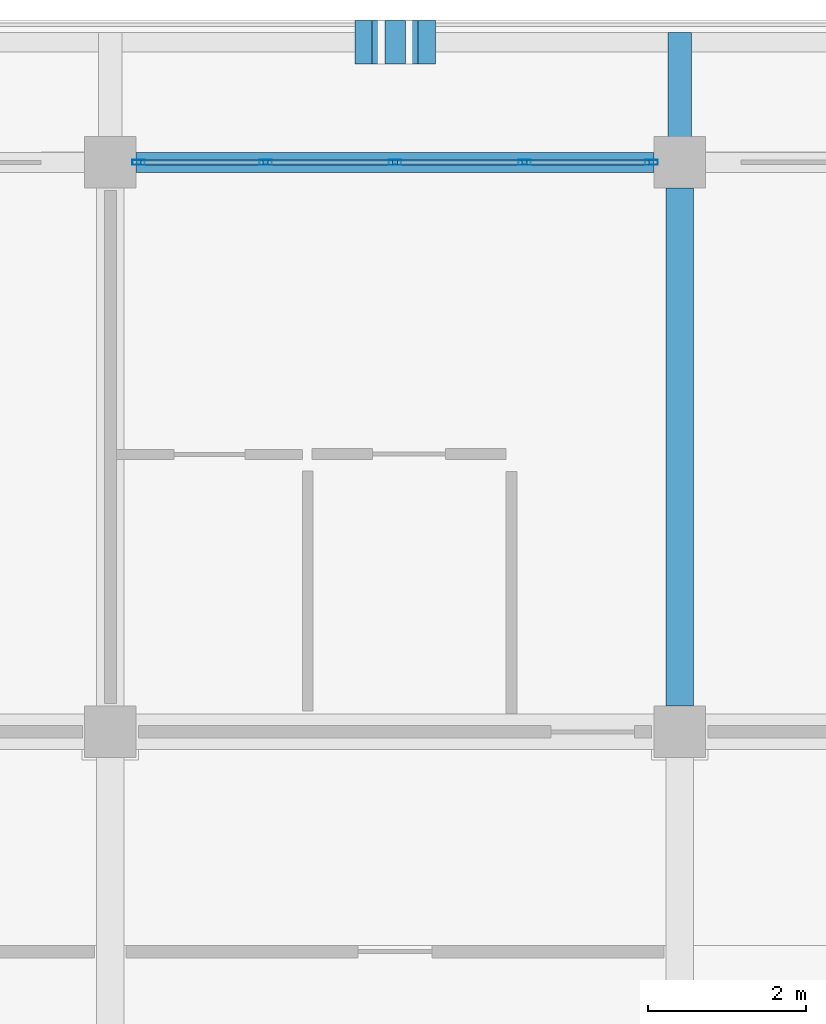
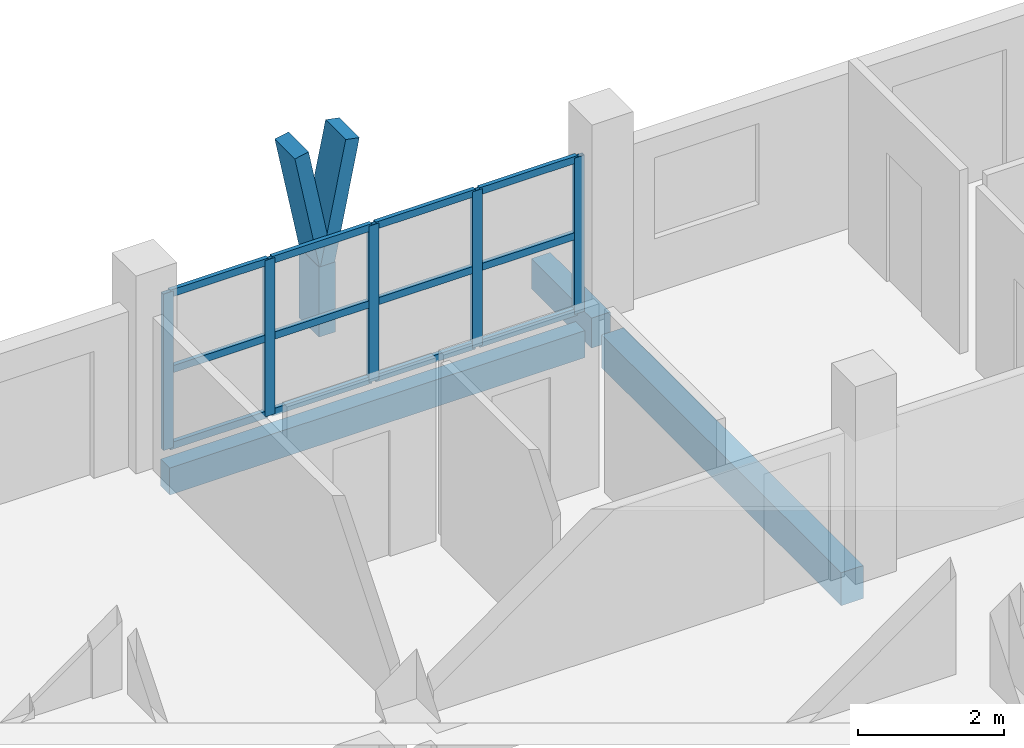
# One storey, part 12 of 75: 20 members, 3 beams, 1 element without a shape of its own.
"""IFC4 building model written with IfcOpenShell, lengths in metres."""

from ifc_helpers import new_model, si_unit, direction, frame, origin, origin_2d, place, context, subcontext, project, spatial, rectangle, hollow_rectangle, extrude, material, material_profile, profile_set, type_object, element, aggregate, save


model = new_model("IFC4")

# Units and contexts
model_context = context("Model", 3, precision=1e-05, world=origin(), true_north=direction((0.0, 1.0)))
body_context = subcontext(model_context, "Body", "Model", "MODEL_VIEW")
ifc_project = project(units=[si_unit("LENGTHUNIT", "METRE"), si_unit("AREAUNIT", "SQUARE_METRE"), si_unit("VOLUMEUNIT", "CUBIC_METRE"), si_unit("PLANEANGLEUNIT", "RADIAN"), si_unit("MASSUNIT", "GRAM", prefix="KILO")], contexts=[model_context])

# Site, building, storey
site_placement = place(None, origin())
site = spatial("IfcSite", under=ifc_project, at=site_placement, CompositionType="ELEMENT")
building_placement = place(site_placement, origin())
building = spatial("IfcBuilding", under=site, at=building_placement, Name="Suanplinth Sawtooth Commons", CompositionType="ELEMENT")
storey_placement = place(building_placement, frame((0.0, 0.0, 18.60009765625)))
storey = spatial("IfcBuildingStorey", under=building, at=storey_placement, Name="L05", CompositionType="ELEMENT", Elevation=18.60009765625)

# Beams
ifc_material_1 = material(Name="Precast concrete C40/50", Category="concrete")
ifc_material_profile_1 = material_profile(ifc_material_1, rectangle(XDim=0.35009765625, YDim=0.550048828125, at=origin_2d()), Name="PC-BM 350x550")
ifc_profile_set_1 = profile_set([ifc_material_profile_1], Name="Precast concrete C40/50")
beam_type_1 = type_object("IfcBeamType", Name="B-06", PredefinedType="BEAM", material=ifc_profile_set_1)
beam_1_placement = place(storey_placement, frame((43.199951171875, 115.52490234375, -0.525146484375), z_axis=(0.0, 1.0, 0.0), x_axis=(-1.0, 0.0, 0.0)))
element("IfcBeam", 1, at=beam_1_placement, inside=storey, type_object=beam_type_1, Name="BMY-L05-A-6-16", PredefinedType="BEAM", context=body_context, shape_type="SweptSolid", body=[
    extrude(rectangle(XDim=0.35009765625, YDim=0.550048828125, at=origin_2d()), origin(), (0.0, 0.0, 1.0), 6.550048828125),
])
ifc_material_profile_2 = material_profile(ifc_material_1, rectangle(XDim=0.300048828125, YDim=0.5, at=origin_2d()), Name="PC-BM 300x500")
ifc_profile_set_2 = profile_set([ifc_material_profile_2], Name="Precast concrete C40/50")
beam_type_2 = type_object("IfcBeamType", Name="B-07", PredefinedType="BEAM", material=ifc_profile_set_2)
beam_2_placement = place(storey_placement, frame((43.199951171875, 122.39990234375, -0.43017578125), z_axis=(0.0, 1.0, 0.0), x_axis=(-1.0, 0.0, 0.0)))
element("IfcBeam", 2, at=beam_2_placement, inside=storey, type_object=beam_type_2, Name="Balcony Outrigger L05-A-N-6", PredefinedType="BEAM", context=body_context, shape_type="SweptSolid", body=[
    extrude(rectangle(XDim=0.300048828125, YDim=0.5, at=origin_2d()), origin(), (0.0, 0.0, 1.0), 1.64013671875),
])
ifc_material_profile_3 = material_profile(ifc_material_1, rectangle(XDim=0.25, YDim=0.449951171875, at=origin_2d()), Name="PC-SP 250x450")
ifc_profile_set_3 = profile_set([ifc_material_profile_3], Name="Precast concrete C40/50")
beam_type_3 = type_object("IfcBeamType", Name="B-09", PredefinedType="SPANDREL", material=ifc_profile_set_3)
beam_3_placement = place(storey_placement, frame((36.324951171875, 122.39990234375, -0.47509765625), z_axis=(1.0, 0.0, 0.0), x_axis=(0.0, 1.0, 0.0)))
element("IfcBeam", 3, at=beam_3_placement, inside=storey, type_object=beam_type_3, Name="BMX-L05-A-5-17", PredefinedType="SPANDREL", context=body_context, shape_type="SweptSolid", body=[
    extrude(rectangle(XDim=0.25, YDim=0.449951171875, at=origin_2d()), origin(), (0.0, 0.0, 1.0), 6.550048828125),
])

# Members
ifc_material_2 = material(Name="Pigmented precast concrete C40/50", Category="concrete")
ifc_material_profile_4 = material_profile(ifc_material_2, rectangle(XDim=0.260009765625, YDim=0.550048828125, at=origin_2d()), Name="PC-FIN 260x550")
ifc_profile_set_4 = profile_set([ifc_material_profile_4], Name="Pigmented precast concrete C40/50")
member_type_1 = type_object("IfcMemberType", Name="M-09", PredefinedType="USERDEFINED", material=ifc_profile_set_4)
member_1_placement = place(storey_placement, frame((39.60009765625, 123.919921875, 0.0), z_axis=(0.0, 0.0, 1.0), x_axis=(1.0, 0.0, 0.0)))
element("IfcMember", 4, at=member_1_placement, inside=storey, type_object=member_type_1, Name="Y-Blade Stem L05-A-N-02", ObjectType="SHADING FIN", PredefinedType="USERDEFINED", context=body_context, shape_type="SweptSolid", body=[
    extrude(rectangle(XDim=0.260009765625, YDim=0.550048828125, at=origin_2d()), origin(), (0.0, 0.0, 1.0), 1.169921875),
])
ifc_material_profile_5 = material_profile(ifc_material_2, rectangle(XDim=0.219970703125, YDim=0.550048828125, at=origin_2d()), Name="PC-FIN 220x550")
ifc_profile_set_5 = profile_set([ifc_material_profile_5], Name="Pigmented precast concrete C40/50")
member_type_2 = type_object("IfcMemberType", Name="M-10", PredefinedType="USERDEFINED", material=ifc_profile_set_5)
for number, where, z_axis, x_axis, name in (
    (5, (39.60009765625, 123.919921875, 1.1298828125), (-0.196530428008, 0.0, 0.98049772609), (0.98049772609, 0.0, 0.196530428008), "Y-Blade Arm L L05-A-N-02"),
    (6, (39.60009765625, 123.919921875, 1.1298828125), (0.196415357203, 0.0, 0.980520783795), (-0.980520783795, 0.0, 0.196415357203), "Y-Blade Arm R L05-A-N-02"),
):
    element("IfcMember", number, at=place(storey_placement, frame(where, z_axis=z_axis, x_axis=x_axis)), inside=storey, type_object=member_type_2, Name=name, ObjectType="SHADING FIN", PredefinedType="USERDEFINED", context=body_context, shape_type="SweptSolid", body=[
        extrude(rectangle(XDim=0.219970703125, YDim=0.550048828125, at=origin_2d()), origin(), (0.0, 0.0, 1.0), 2.039794921875),
    ])

# Curtain wall, members
ifc_material_3 = material(Name="Anodized aluminium and low-E glazing", Category="aluminium")
curtain_wall_type = type_object("IfcCurtainWallType", Name="CW-06", PredefinedType="USERDEFINED", material=ifc_material_3)
curtain_wall_placement = place(storey_placement, origin())
curtain_wall = element("IfcCurtainWall", 7, at=curtain_wall_placement, inside=storey, type_object=curtain_wall_type, Name="Curtain Wall CW-L05-A-LOUNGE-5", ObjectType="CURTAIN WALL", PredefinedType="USERDEFINED")
ifc_material_4 = material(Name="Anodized aluminium 6063-T6", Category="aluminium")
ifc_material_profile_6 = material_profile(ifc_material_4, hollow_rectangle(XDim=0.06494140625, YDim=0.159912109375, WallThickness=0.00390625, at=origin_2d()), Name="ALU-MUL 65x160")
ifc_profile_set_6 = profile_set([ifc_material_profile_6], Name="Anodized aluminium 6063-T6")
member_type_3 = type_object("IfcMemberType", Name="M-13", PredefinedType="MULLION", material=ifc_profile_set_6)
member_2_placement = place(storey_placement, frame((36.357421875, 122.39990234375, 0.0), z_axis=(0.0, 0.0, 1.0), x_axis=(0.0, 1.0, 0.0)))
member_2 = element("IfcMember", 8, at=member_2_placement, type_object=member_type_3, Name="CW-06 mullion 1", PredefinedType="MULLION", context=body_context, shape_type="SweptSolid", body=[
    extrude(hollow_rectangle(XDim=0.06494140625, YDim=0.159912109375, WallThickness=0.00390625, at=origin_2d()), origin(), (0.0, 0.0, 1.0), 2.60986328125),
])
member_3_placement = place(storey_placement, frame((37.96240234375, 122.39990234375, 0.0), z_axis=(0.0, 0.0, 1.0), x_axis=(0.0, 1.0, 0.0)))
member_3 = element("IfcMember", 9, at=member_3_placement, type_object=member_type_3, Name="CW-06 mullion 2", PredefinedType="MULLION", context=body_context, shape_type="SweptSolid", body=[
    extrude(hollow_rectangle(XDim=0.06494140625, YDim=0.159912109375, WallThickness=0.00390625, at=origin_2d()), origin(), (0.0, 0.0, 1.0), 2.60986328125),
])
member_4_placement = place(storey_placement, frame((39.60009765625, 122.39990234375, 0.0), z_axis=(0.0, 0.0, 1.0), x_axis=(0.0, 1.0, 0.0)))
member_4 = element("IfcMember", 10, at=member_4_placement, type_object=member_type_3, Name="CW-06 mullion 3", PredefinedType="MULLION", context=body_context, shape_type="SweptSolid", body=[
    extrude(hollow_rectangle(XDim=0.06494140625, YDim=0.159912109375, WallThickness=0.00390625, at=origin_2d()), origin(), (0.0, 0.0, 1.0), 2.60986328125),
])
member_5_placement = place(storey_placement, frame((41.237548828125, 122.39990234375, 0.0), z_axis=(0.0, 0.0, 1.0), x_axis=(0.0, 1.0, 0.0)))
member_5 = element("IfcMember", 11, at=member_5_placement, type_object=member_type_3, Name="CW-06 mullion 4", PredefinedType="MULLION", context=body_context, shape_type="SweptSolid", body=[
    extrude(hollow_rectangle(XDim=0.06494140625, YDim=0.159912109375, WallThickness=0.00390625, at=origin_2d()), origin(), (0.0, 0.0, 1.0), 2.60986328125),
])
member_6_placement = place(storey_placement, frame((42.842529296875, 122.39990234375, 0.0), z_axis=(0.0, 0.0, 1.0), x_axis=(0.0, 1.0, 0.0)))
member_6 = element("IfcMember", 12, at=member_6_placement, type_object=member_type_3, Name="CW-06 mullion 5", PredefinedType="MULLION", context=body_context, shape_type="SweptSolid", body=[
    extrude(hollow_rectangle(XDim=0.06494140625, YDim=0.159912109375, WallThickness=0.00390625, at=origin_2d()), origin(), (0.0, 0.0, 1.0), 2.60986328125),
])
ifc_material_profile_7 = material_profile(ifc_material_4, hollow_rectangle(XDim=0.06494140625, YDim=0.1201171875, WallThickness=0.00390625, at=origin_2d()), Name="ALU-TRN 65x120")
ifc_profile_set_7 = profile_set([ifc_material_profile_7], Name="Anodized aluminium 6063-T6")
member_type_4 = type_object("IfcMemberType", Name="M-15", PredefinedType="USERDEFINED", material=ifc_profile_set_7)
member_7_placement = place(storey_placement, frame((36.389892578125, 122.39990234375, 0.032470703125), z_axis=(1.0, 0.0, 0.0), x_axis=(0.0, 1.0, 0.0)))
member_7 = element("IfcMember", 13, at=member_7_placement, type_object=member_type_4, Name="CW-06 transom 1.1", ObjectType="TRANSOM", PredefinedType="USERDEFINED", context=body_context, shape_type="SweptSolid", body=[
    extrude(hollow_rectangle(XDim=0.06494140625, YDim=0.1201171875, WallThickness=0.00390625, at=origin_2d()), origin(), (0.0, 0.0, 1.0), 1.5400390625),
])
member_8_placement = place(storey_placement, frame((36.389892578125, 122.39990234375, 1.304931640625), z_axis=(1.0, 0.0, 0.0), x_axis=(0.0, 1.0, 0.0)))
member_8 = element("IfcMember", 14, at=member_8_placement, type_object=member_type_4, Name="CW-06 transom 1.2", ObjectType="TRANSOM", PredefinedType="USERDEFINED", context=body_context, shape_type="SweptSolid", body=[
    extrude(hollow_rectangle(XDim=0.06494140625, YDim=0.1201171875, WallThickness=0.00390625, at=origin_2d()), origin(), (0.0, 0.0, 1.0), 1.5400390625),
])
member_9_placement = place(storey_placement, frame((36.389892578125, 122.39990234375, 2.577392578125), z_axis=(1.0, 0.0, 0.0), x_axis=(0.0, 1.0, 0.0)))
member_9 = element("IfcMember", 15, at=member_9_placement, type_object=member_type_4, Name="CW-06 transom 1.3", ObjectType="TRANSOM", PredefinedType="USERDEFINED", context=body_context, shape_type="SweptSolid", body=[
    extrude(hollow_rectangle(XDim=0.06494140625, YDim=0.1201171875, WallThickness=0.00390625, at=origin_2d()), origin(), (0.0, 0.0, 1.0), 1.5400390625),
])
member_10_placement = place(storey_placement, frame((37.9951171875, 122.39990234375, 0.032470703125), z_axis=(1.0, 0.0, 0.0), x_axis=(0.0, 1.0, 0.0)))
member_10 = element("IfcMember", 16, at=member_10_placement, type_object=member_type_4, Name="CW-06 transom 2.1", ObjectType="TRANSOM", PredefinedType="USERDEFINED", context=body_context, shape_type="SweptSolid", body=[
    extrude(hollow_rectangle(XDim=0.06494140625, YDim=0.1201171875, WallThickness=0.00390625, at=origin_2d()), origin(), (0.0, 0.0, 1.0), 1.572265625),
])
member_11_placement = place(storey_placement, frame((37.9951171875, 122.39990234375, 1.304931640625), z_axis=(1.0, 0.0, 0.0), x_axis=(0.0, 1.0, 0.0)))
member_11 = element("IfcMember", 17, at=member_11_placement, type_object=member_type_4, Name="CW-06 transom 2.2", ObjectType="TRANSOM", PredefinedType="USERDEFINED", context=body_context, shape_type="SweptSolid", body=[
    extrude(hollow_rectangle(XDim=0.06494140625, YDim=0.1201171875, WallThickness=0.00390625, at=origin_2d()), origin(), (0.0, 0.0, 1.0), 1.572265625),
])
member_12_placement = place(storey_placement, frame((37.9951171875, 122.39990234375, 2.577392578125), z_axis=(1.0, 0.0, 0.0), x_axis=(0.0, 1.0, 0.0)))
member_12 = element("IfcMember", 18, at=member_12_placement, type_object=member_type_4, Name="CW-06 transom 2.3", ObjectType="TRANSOM", PredefinedType="USERDEFINED", context=body_context, shape_type="SweptSolid", body=[
    extrude(hollow_rectangle(XDim=0.06494140625, YDim=0.1201171875, WallThickness=0.00390625, at=origin_2d()), origin(), (0.0, 0.0, 1.0), 1.572265625),
])
member_13_placement = place(storey_placement, frame((39.632568359375, 122.39990234375, 0.032470703125), z_axis=(1.0, 0.0, 0.0), x_axis=(0.0, 1.0, 0.0)))
member_13 = element("IfcMember", 19, at=member_13_placement, type_object=member_type_4, Name="CW-06 transom 3.1", ObjectType="TRANSOM", PredefinedType="USERDEFINED", context=body_context, shape_type="SweptSolid", body=[
    extrude(hollow_rectangle(XDim=0.06494140625, YDim=0.1201171875, WallThickness=0.00390625, at=origin_2d()), origin(), (0.0, 0.0, 1.0), 1.572509765625),
])
member_14_placement = place(storey_placement, frame((39.632568359375, 122.39990234375, 1.304931640625), z_axis=(1.0, 0.0, 0.0), x_axis=(0.0, 1.0, 0.0)))
member_14 = element("IfcMember", 20, at=member_14_placement, type_object=member_type_4, Name="CW-06 transom 3.2", ObjectType="TRANSOM", PredefinedType="USERDEFINED", context=body_context, shape_type="SweptSolid", body=[
    extrude(hollow_rectangle(XDim=0.06494140625, YDim=0.1201171875, WallThickness=0.00390625, at=origin_2d()), origin(), (0.0, 0.0, 1.0), 1.572509765625),
])
member_15_placement = place(storey_placement, frame((39.632568359375, 122.39990234375, 2.577392578125), z_axis=(1.0, 0.0, 0.0), x_axis=(0.0, 1.0, 0.0)))
member_15 = element("IfcMember", 21, at=member_15_placement, type_object=member_type_4, Name="CW-06 transom 3.3", ObjectType="TRANSOM", PredefinedType="USERDEFINED", context=body_context, shape_type="SweptSolid", body=[
    extrude(hollow_rectangle(XDim=0.06494140625, YDim=0.1201171875, WallThickness=0.00390625, at=origin_2d()), origin(), (0.0, 0.0, 1.0), 1.572509765625),
])
member_16_placement = place(storey_placement, frame((41.27001953125, 122.39990234375, 0.032470703125), z_axis=(1.0, 0.0, 0.0), x_axis=(0.0, 1.0, 0.0)))
member_16 = element("IfcMember", 22, at=member_16_placement, type_object=member_type_4, Name="CW-06 transom 4.1", ObjectType="TRANSOM", PredefinedType="USERDEFINED", context=body_context, shape_type="SweptSolid", body=[
    extrude(hollow_rectangle(XDim=0.06494140625, YDim=0.1201171875, WallThickness=0.00390625, at=origin_2d()), origin(), (0.0, 0.0, 1.0), 1.5400390625),
])
member_17_placement = place(storey_placement, frame((41.27001953125, 122.39990234375, 1.304931640625), z_axis=(1.0, 0.0, 0.0), x_axis=(0.0, 1.0, 0.0)))
member_17 = element("IfcMember", 23, at=member_17_placement, type_object=member_type_4, Name="CW-06 transom 4.2", ObjectType="TRANSOM", PredefinedType="USERDEFINED", context=body_context, shape_type="SweptSolid", body=[
    extrude(hollow_rectangle(XDim=0.06494140625, YDim=0.1201171875, WallThickness=0.00390625, at=origin_2d()), origin(), (0.0, 0.0, 1.0), 1.5400390625),
])
member_18_placement = place(storey_placement, frame((41.27001953125, 122.39990234375, 2.577392578125), z_axis=(1.0, 0.0, 0.0), x_axis=(0.0, 1.0, 0.0)))
member_18 = element("IfcMember", 24, at=member_18_placement, type_object=member_type_4, Name="CW-06 transom 4.3", ObjectType="TRANSOM", PredefinedType="USERDEFINED", context=body_context, shape_type="SweptSolid", body=[
    extrude(hollow_rectangle(XDim=0.06494140625, YDim=0.1201171875, WallThickness=0.00390625, at=origin_2d()), origin(), (0.0, 0.0, 1.0), 1.5400390625),
])
aggregate(curtain_wall, [member_2, member_3, member_4, member_5, member_6, member_7, member_8, member_9, member_10, member_11, member_12, member_13, member_14, member_15, member_16, member_17, member_18])

save(model, "model.ifc")
